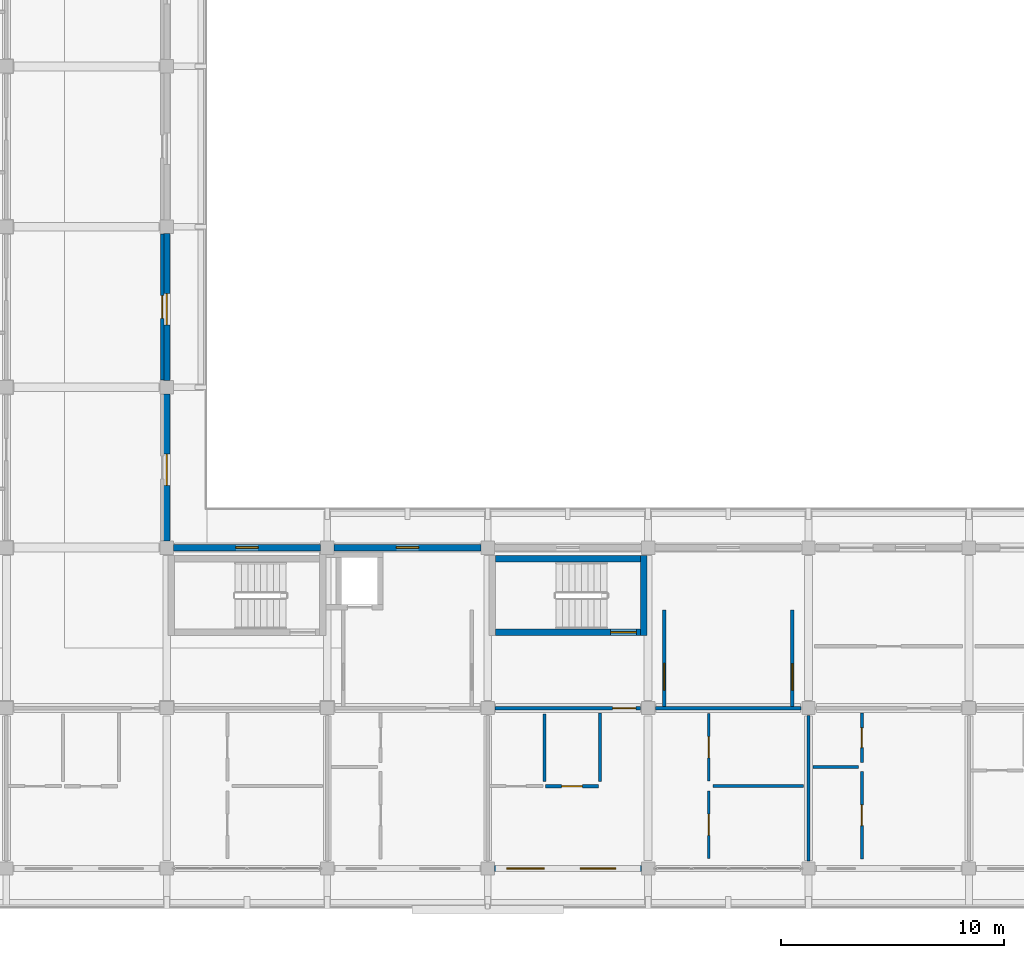
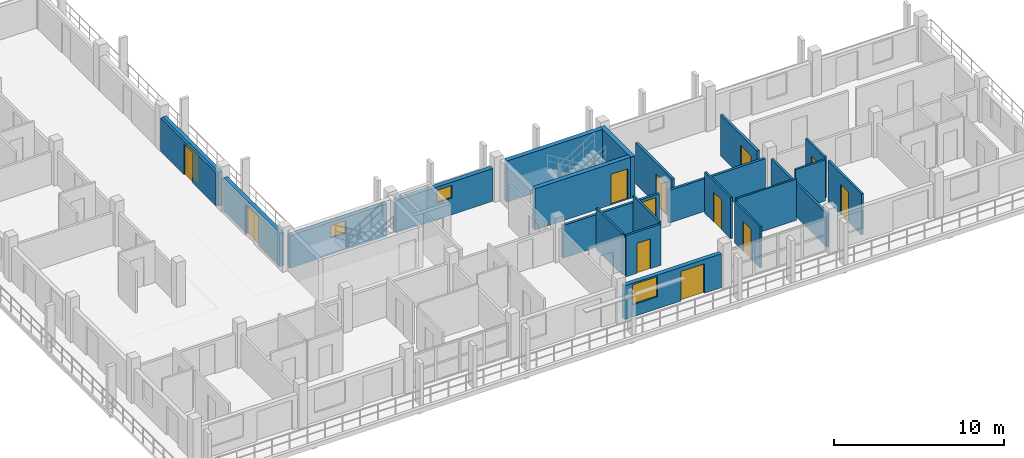
# One storey, part 115 of 157: 23 walls, 13 doors, 3 windows, 16 openings.
"""IFC4 building model written with IfcOpenShell, lengths in metres."""

from ifc_helpers import new_model, si_unit, direction, frame, frame_2d, origin, place, context, subcontext, project, spatial, rectangle, extrude, material, layer, layer_set, type_object, element, fill, save


model = new_model("IFC4")

# Units and contexts
model_context = context("Model", 3, precision=1e-05, world=origin(), true_north=direction((0.0, 1.0)))
body_context = subcontext(model_context, "Body", "Model", "MODEL_VIEW")
ifc_project = project(units=[si_unit("LENGTHUNIT", "METRE"), si_unit("AREAUNIT", "SQUARE_METRE"), si_unit("VOLUMEUNIT", "CUBIC_METRE"), si_unit("PLANEANGLEUNIT", "RADIAN"), si_unit("MASSUNIT", "GRAM", prefix="KILO")], contexts=[model_context])

# Site, building, storey
site_placement = place(None, origin())
site = spatial("IfcSite", under=ifc_project, at=site_placement, CompositionType="ELEMENT")
building_placement = place(site_placement, origin())
building = spatial("IfcBuilding", under=site, at=building_placement, Name="Suanplinth Sawtooth Commons", CompositionType="ELEMENT")
storey_placement = place(building_placement, frame((0.0, 0.0, 9.0)))
storey = spatial("IfcBuildingStorey", under=building, at=storey_placement, Name="L02", CompositionType="ELEMENT", Elevation=9.0)

# Wall, opening, door
ifc_material_1 = material(Name="Concrete C40/50", Category="concrete")
ifc_layer_1 = layer(ifc_material_1, 0.300048828125, Name="Standard RC stair and lift core wall 300mm")
ifc_layer_set_1 = layer_set([ifc_layer_1], Name="Concrete C40/50")
wall_type_1 = type_object("IfcWallType", Name="W-CR02", PredefinedType="SHEAR", material=ifc_layer_set_1)
wall_1_placement = place(storey_placement, frame((29.14990234375, 10.60009765625, 0.0), z_axis=(0.0, 0.0, 1.0), x_axis=(1.0, 0.0, 0.0)))
wall_1 = element("IfcWall", 1, at=wall_1_placement, inside=storey, type_object=wall_type_1, Name="W-L02-C-D2-STS", PredefinedType="SHEAR", context=body_context, shape_type="SweptSolid", body=[
    extrude(rectangle(XDim=6.5, YDim=0.300048828125, at=frame_2d((3.25, 0.0))), origin(), (0.0, 0.0, 1.0), 2.9599609375),
])
opening_1_placement = place(wall_1_placement, frame((5.169921875, 0.0, 0.0)))
opening_1 = element("IfcOpeningElement", 2, at=opening_1_placement, cuts=wall_1, Name="Opening FD0406", PredefinedType="OPENING", context=body_context, shape_type="SweptSolid", body=[
    extrude(rectangle(XDim=1.14990234375, YDim=2.199951171875, at=frame_2d((0.574951171875, 1.10009765625))), frame((0.0, 0.1650390625, 0.0), z_axis=(0.0, -1.0, 0.0), x_axis=(1.0, 0.0, 0.0)), (0.0, 0.0, 1.0), 0.329833984375),
])
ifc_material_2 = material(Name="Teak hardwood fire-rated door assembly", Category="wood")
door_type_1 = type_object("IfcDoorType", Name="FD-01", OperationType="NOTDEFINED", PredefinedType="DOOR", material=ifc_material_2)
door_1_placement = place(opening_1_placement, origin())
door_1 = element("IfcDoor", 3, at=door_1_placement, inside=storey, type_object=door_type_1, Name="Exit Stair Fire Door FD0406", OperationType="SINGLE_SWING_LEFT", OverallHeight=2.199951171875, OverallWidth=1.14990234375, PredefinedType="DOOR", context=body_context, shape_type="SweptSolid", body=[
    extrude(rectangle(XDim=1.14990234375, YDim=2.199951171875, at=frame_2d((0.574951171875, 1.10009765625))), frame((0.0, 0.02490234375, 0.0), z_axis=(0.0, -1.0, 0.0), x_axis=(1.0, 0.0, 0.0)), (0.0, 0.0, 1.0), 0.050048828125),
])
fill(opening_1, door_1)

# Walls
wall_2_placement = place(storey_placement, frame((29.14990234375, 13.89990234375, 0.0), z_axis=(0.0, 0.0, 1.0), x_axis=(1.0, 0.0, 0.0)))
element("IfcWall", 4, at=wall_2_placement, inside=storey, type_object=wall_type_1, Name="W-L02-C-D2-STN", PredefinedType="SHEAR", context=body_context, shape_type="SweptSolid", body=[
    extrude(rectangle(XDim=6.5, YDim=0.300048828125, at=frame_2d((3.25, 0.0))), origin(), (0.0, 0.0, 1.0), 2.9599609375),
])
wall_3_placement = place(storey_placement, frame((35.800048828125, 10.449951171875, 0.0), z_axis=(0.0, 0.0, 1.0), x_axis=(0.0, 1.0, 0.0)))
element("IfcWall", 5, at=wall_3_placement, inside=storey, type_object=wall_type_1, Name="W-L02-C-D2-STE", PredefinedType="SHEAR", context=body_context, shape_type="SweptSolid", body=[
    extrude(rectangle(XDim=3.60009765625, YDim=0.300048828125, at=frame_2d((1.800048828125, 0.0))), origin(), (0.0, 0.0, 1.0), 2.9599609375),
])

# Wall, opening, door
ifc_material_3 = material(Name="Precast concrete C40/50", Category="concrete")
ifc_layer_2 = layer(ifc_material_3, 0.280029296875, Name="Insulated precast architectural facade wall 280mm")
ifc_layer_set_2 = layer_set([ifc_layer_2], Name="Precast concrete C40/50")
wall_type_2 = type_object("IfcWallType", Name="W-EX01", PredefinedType="ELEMENTEDWALL", material=ifc_layer_set_2)
wall_4_placement = place(storey_placement, frame((14.39990234375, 14.699951171875, 0.0), z_axis=(0.0, 0.0, 1.0), x_axis=(0.0, 1.0, 0.0)))
wall_4 = element("IfcWall", 6, at=wall_4_placement, inside=storey, type_object=wall_type_2, Name="Facade Wall W-L02-D-E-1-2", PredefinedType="ELEMENTEDWALL", context=body_context, shape_type="SweptSolid", body=[
    extrude(rectangle(XDim=6.60009765625, YDim=0.280029296875, at=frame_2d((3.300048828125, 0.0))), origin(), (0.0, 0.0, 1.0), 2.39501953125),
])
opening_2_placement = place(wall_4_placement, frame((2.5, 0.0, 0.0)))
opening_2 = element("IfcOpeningElement", 7, at=opening_2_placement, cuts=wall_4, Name="Opening ED0208", PredefinedType="OPENING", context=body_context, shape_type="SweptSolid", body=[
    extrude(rectangle(XDim=1.39990234375, YDim=2.10009765625, at=frame_2d((0.699951171875, 1.050048828125))), frame((0.0, 0.15478515625, 0.0), z_axis=(0.0, -1.0, 0.0), x_axis=(1.0, 0.0, 0.0)), (0.0, 0.0, 1.0), 0.309814453125),
])
ifc_material_4 = material(Name="Anodized aluminium and low-E glass", Category="aluminium")
door_type_2 = type_object("IfcDoorType", Name="SD-07", OperationType="SLIDING_TO_RIGHT", PredefinedType="DOOR", material=ifc_material_4)
door_2_placement = place(opening_2_placement, frame((1.39990234375, 0.0, 0.0), z_axis=(0.0, 0.0, 1.0), x_axis=(-1.0, 0.0, 0.0)))
door_2 = element("IfcDoor", 8, at=door_2_placement, inside=storey, type_object=door_type_2, Name="Courtyard Veranda Studio Balcony Door L02-D-2", OperationType="SLIDING_TO_RIGHT", OverallHeight=2.10009765625, OverallWidth=1.39990234375, PredefinedType="DOOR", context=body_context, shape_type="SweptSolid", body=[
    extrude(rectangle(XDim=1.39990234375, YDim=2.10009765625, at=frame_2d((0.699951171875, 1.050048828125))), frame((0.0, 0.02490234375, 0.0), z_axis=(0.0, -1.0, 0.0), x_axis=(1.0, 0.0, 0.0)), (0.0, 0.0, 1.0), 0.050048828125),
])
fill(opening_2, door_2)

wall_5_placement = place(storey_placement, frame((14.39990234375, 21.89990234375, 0.0), z_axis=(0.0, 0.0, 1.0), x_axis=(0.0, 1.0, 0.0)))
wall_5 = element("IfcWall", 9, at=wall_5_placement, inside=storey, type_object=wall_type_2, Name="Facade Wall W-L02-D-E-1-3", PredefinedType="ELEMENTEDWALL", context=body_context, shape_type="SweptSolid", body=[
    extrude(rectangle(XDim=6.60009765625, YDim=0.280029296875, at=frame_2d((3.300048828125, 0.0))), origin(), (0.0, 0.0, 1.0), 2.39501953125),
])
opening_3_placement = place(wall_5_placement, frame((2.5, 0.0, 0.0)))
opening_3 = element("IfcOpeningElement", 10, at=opening_3_placement, cuts=wall_5, Name="Opening ED0209", PredefinedType="OPENING", context=body_context, shape_type="SweptSolid", body=[
    extrude(rectangle(XDim=1.39990234375, YDim=2.10009765625, at=frame_2d((0.699951171875, 1.050048828125))), frame((0.0, 0.15478515625, 0.0), z_axis=(0.0, -1.0, 0.0), x_axis=(1.0, 0.0, 0.0)), (0.0, 0.0, 1.0), 0.309814453125),
])
door_3_placement = place(opening_3_placement, frame((1.39990234375, 0.0, 0.0), z_axis=(0.0, 0.0, 1.0), x_axis=(-1.0, 0.0, 0.0)))
door_3 = element("IfcDoor", 11, at=door_3_placement, inside=storey, type_object=door_type_2, Name="Courtyard Veranda Studio Balcony Door L02-D-3", OperationType="SLIDING_TO_RIGHT", OverallHeight=2.10009765625, OverallWidth=1.39990234375, PredefinedType="DOOR", context=body_context, shape_type="SweptSolid", body=[
    extrude(rectangle(XDim=1.39990234375, YDim=2.10009765625, at=frame_2d((0.699951171875, 1.050048828125))), frame((0.0, 0.02490234375, 0.0), z_axis=(0.0, -1.0, 0.0), x_axis=(1.0, 0.0, 0.0)), (0.0, 0.0, 1.0), 0.050048828125),
])
fill(opening_3, door_3)

# Wall, opening, window
wall_6_placement = place(storey_placement, frame((14.699951171875, 14.39990234375, 0.0), z_axis=(0.0, 0.0, 1.0), x_axis=(1.0, 0.0, 0.0)))
wall_6 = element("IfcWall", 12, at=wall_6_placement, inside=storey, type_object=wall_type_2, Name="Facade Wall W-L02-D-N-2-1", PredefinedType="ELEMENTEDWALL", context=body_context, shape_type="SweptSolid", body=[
    extrude(rectangle(XDim=6.60009765625, YDim=0.280029296875, at=frame_2d((3.300048828125, 0.0))), origin(), (0.0, 0.0, 1.0), 2.344970703125),
])
opening_4_placement = place(wall_6_placement, frame((2.800048828125, 0.0, 1.199951171875)))
opening_4 = element("IfcOpeningElement", 13, at=opening_4_placement, cuts=wall_6, Name="Opening W0320", PredefinedType="OPENING", context=body_context, shape_type="SweptSolid", body=[
    extrude(rectangle(XDim=1.0, YDim=0.89990234375, at=frame_2d((0.5, 0.449951171875))), frame((0.0, 0.15478515625, 0.0), z_axis=(0.0, -1.0, 0.0), x_axis=(1.0, 0.0, 0.0)), (0.0, 0.0, 1.0), 0.309814453125),
])
ifc_material_5 = material(Name="Thermally broken aluminium and low-E double glazing", Category="aluminium")
window_type_1 = type_object("IfcWindowType", Name="WN-12", PartitioningType="SINGLE_PANEL", PredefinedType="WINDOW", material=ifc_material_5)
window_1_placement = place(opening_4_placement, origin())
window_1 = element("IfcWindow", 14, at=window_1_placement, inside=storey, type_object=window_type_1, Name="Core Daylight Window L02-D-2-1", OverallHeight=0.89990234375, OverallWidth=1.0, PartitioningType="SINGLE_PANEL", PredefinedType="WINDOW", context=body_context, shape_type="SweptSolid", body=[
    extrude(rectangle(XDim=1.0, YDim=0.89990234375, at=frame_2d((0.5, 0.449951171875))), frame((0.0, 0.030029296875, 0.0), z_axis=(0.0, -1.0, 0.0), x_axis=(1.0, 0.0, 0.0)), (0.0, 0.0, 1.0), 0.06005859375),
])
fill(opening_4, window_1)

wall_7_placement = place(storey_placement, frame((21.89990234375, 14.39990234375, 0.0), z_axis=(0.0, 0.0, 1.0), x_axis=(1.0, 0.0, 0.0)))
wall_7 = element("IfcWall", 15, at=wall_7_placement, inside=storey, type_object=wall_type_2, Name="Facade Wall W-L02-D-N-3-1", PredefinedType="ELEMENTEDWALL", context=body_context, shape_type="SweptSolid", body=[
    extrude(rectangle(XDim=6.60009765625, YDim=0.280029296875, at=frame_2d((3.300048828125, 0.0))), origin(), (0.0, 0.0, 1.0), 2.344970703125),
])
opening_5_placement = place(wall_7_placement, frame((2.800048828125, 0.0, 1.199951171875)))
opening_5 = element("IfcOpeningElement", 16, at=opening_5_placement, cuts=wall_7, Name="Opening W0322", PredefinedType="OPENING", context=body_context, shape_type="SweptSolid", body=[
    extrude(rectangle(XDim=1.0, YDim=0.89990234375, at=frame_2d((0.5, 0.449951171875))), frame((0.0, 0.15478515625, 0.0), z_axis=(0.0, -1.0, 0.0), x_axis=(1.0, 0.0, 0.0)), (0.0, 0.0, 1.0), 0.309814453125),
])
window_2_placement = place(opening_5_placement, origin())
window_2 = element("IfcWindow", 17, at=window_2_placement, inside=storey, type_object=window_type_1, Name="Core Daylight Window L02-D-3-1", OverallHeight=0.89990234375, OverallWidth=1.0, PartitioningType="SINGLE_PANEL", PredefinedType="WINDOW", context=body_context, shape_type="SweptSolid", body=[
    extrude(rectangle(XDim=1.0, YDim=0.89990234375, at=frame_2d((0.5, 0.449951171875))), frame((0.0, 0.030029296875, 0.0), z_axis=(0.0, -1.0, 0.0), x_axis=(1.0, 0.0, 0.0)), (0.0, 0.0, 1.0), 0.06005859375),
])
fill(opening_5, window_2)

# Wall, openings, door, window
wall_8_placement = place(storey_placement, frame((29.10009765625, 0.0, 0.0), z_axis=(0.0, 0.0, 1.0), x_axis=(1.0, 0.0, 0.0)))
wall_8 = element("IfcWall", 18, at=wall_8_placement, inside=storey, type_object=wall_type_2, Name="Facade Wall W-L02-D-S-4-0", PredefinedType="ELEMENTEDWALL", context=body_context, shape_type="SweptSolid", body=[
    extrude(rectangle(XDim=6.599853515625, YDim=0.280029296875, at=frame_2d((3.2998046875, 0.0))), origin(), (0.0, 0.0, 1.0), 2.425048828125),
])
opening_6_placement = place(wall_8_placement, frame((3.85009765625, 0.0, 0.0)))
opening_6 = element("IfcOpeningElement", 19, at=opening_6_placement, cuts=wall_8, Name="Opening ED0213", PredefinedType="OPENING", context=body_context, shape_type="SweptSolid", body=[
    extrude(rectangle(XDim=1.60009765625, YDim=2.1201171875, at=frame_2d((0.800048828125, 1.06005859375))), frame((0.0, 0.15478515625, 0.0), z_axis=(0.0, -1.0, 0.0), x_axis=(1.0, 0.0, 0.0)), (0.0, 0.0, 1.0), 0.309814453125),
])
opening_7_placement = place(wall_8_placement, frame((0.550048828125, 0.0, 0.864990234375)))
opening_7 = element("IfcOpeningElement", 20, at=opening_7_placement, cuts=wall_8, Name="Opening W0323", PredefinedType="OPENING", context=body_context, shape_type="SweptSolid", body=[
    extrude(rectangle(XDim=1.699951171875, YDim=1.449951171875, at=frame_2d((0.85009765625, 0.72509765625))), frame((0.0, 0.15478515625, 0.0), z_axis=(0.0, -1.0, 0.0), x_axis=(1.0, 0.0, 0.0)), (0.0, 0.0, 1.0), 0.309814453125),
])
door_type_3 = type_object("IfcDoorType", Name="SD-02", OperationType="SLIDING_TO_RIGHT", PredefinedType="DOOR", material=ifc_material_4)
door_4_placement = place(opening_6_placement, frame((1.60009765625, 0.0, 0.0), z_axis=(0.0, 0.0, 1.0), x_axis=(-1.0, 0.0, 0.0)))
door_4 = element("IfcDoor", 21, at=door_4_placement, inside=storey, type_object=door_type_3, Name="Balcony Sliding Door L02-D-4", OperationType="SLIDING_TO_RIGHT", OverallHeight=2.1201171875, OverallWidth=1.60009765625, PredefinedType="DOOR", context=body_context, shape_type="SweptSolid", body=[
    extrude(rectangle(XDim=1.60009765625, YDim=2.1201171875, at=frame_2d((0.800048828125, 1.06005859375))), frame((0.0, 0.02490234375, 0.0), z_axis=(0.0, -1.0, 0.0), x_axis=(1.0, 0.0, 0.0)), (0.0, 0.0, 1.0), 0.050048828125),
])
fill(opening_6, door_4)
window_type_2 = type_object("IfcWindowType", Name="WN-15", PartitioningType="DOUBLE_PANEL_VERTICAL", PredefinedType="WINDOW", material=ifc_material_5)
window_3_placement = place(opening_7_placement, origin())
window_3 = element("IfcWindow", 22, at=window_3_placement, inside=storey, type_object=window_type_2, Name="Apartment Window L02-D-4", OverallHeight=1.449951171875, OverallWidth=1.699951171875, PartitioningType="DOUBLE_PANEL_VERTICAL", PredefinedType="WINDOW", context=body_context, shape_type="SweptSolid", body=[
    extrude(rectangle(XDim=1.699951171875, YDim=1.449951171875, at=frame_2d((0.85009765625, 0.72509765625))), frame((0.0, 0.030029296875, 0.0), z_axis=(0.0, -1.0, 0.0), x_axis=(1.0, 0.0, 0.0)), (0.0, 0.0, 1.0), 0.06005859375),
])
fill(opening_7, window_3)

# Wall, opening, door
ifc_layer_3 = layer(ifc_material_3, 0.159912109375, Name="Fire-rated corridor and lobby wall 160mm")
ifc_layer_set_3 = layer_set([ifc_layer_3], Name="Precast concrete C40/50")
wall_type_3 = type_object("IfcWallType", Name="W-FW01", PredefinedType="PARTITIONING", material=ifc_layer_set_3)
wall_9_placement = place(storey_placement, frame((36.719970703125, 7.280029296875, 0.0), z_axis=(0.0, 0.0, 1.0), x_axis=(0.0, 1.0, 0.0)))
wall_9 = element("IfcWall", 23, at=wall_9_placement, inside=storey, type_object=wall_type_3, Name="W-L02-C-D2-LOB-W", PredefinedType="PARTITIONING", context=body_context, shape_type="SweptSolid", body=[
    extrude(rectangle(XDim=4.320068359375, YDim=0.159912109375, at=frame_2d((2.16015625, 0.0))), origin(), (0.0, 0.0, 1.0), 2.9599609375),
])
opening_8_placement = place(wall_9_placement, frame((0.719970703125, 0.0, 0.0)))
opening_8 = element("IfcOpeningElement", 24, at=opening_8_placement, cuts=wall_9, Name="Opening FD0407", PredefinedType="OPENING", context=body_context, shape_type="SweptSolid", body=[
    extrude(rectangle(XDim=1.199951171875, YDim=2.199951171875, at=frame_2d((0.60009765625, 1.10009765625))), frame((0.0, 0.0947265625, 0.0), z_axis=(0.0, -1.0, 0.0), x_axis=(1.0, 0.0, 0.0)), (0.0, 0.0, 1.0), 0.189697265625),
])
door_type_4 = type_object("IfcDoorType", Name="FD-02", OperationType="NOTDEFINED", PredefinedType="DOOR", material=ifc_material_2)
door_5_placement = place(opening_8_placement, origin())
door_5 = element("IfcDoor", 25, at=door_5_placement, inside=storey, type_object=door_type_4, Name="Lobby Fire Door FD0407", OperationType="SINGLE_SWING_RIGHT", OverallHeight=2.199951171875, OverallWidth=1.199951171875, PredefinedType="DOOR", context=body_context, shape_type="SweptSolid", body=[
    extrude(rectangle(XDim=1.199951171875, YDim=2.199951171875, at=frame_2d((0.60009765625, 1.10009765625))), frame((0.0, 0.02490234375, 0.0), z_axis=(0.0, -1.0, 0.0), x_axis=(1.0, 0.0, 0.0)), (0.0, 0.0, 1.0), 0.050048828125),
])
fill(opening_8, door_5)

wall_10_placement = place(storey_placement, frame((42.47998046875, 7.280029296875, 0.0), z_axis=(0.0, 0.0, 1.0), x_axis=(0.0, 1.0, 0.0)))
wall_10 = element("IfcWall", 26, at=wall_10_placement, inside=storey, type_object=wall_type_3, Name="W-L02-C-D2-LOB-E", PredefinedType="PARTITIONING", context=body_context, shape_type="SweptSolid", body=[
    extrude(rectangle(XDim=4.320068359375, YDim=0.159912109375, at=frame_2d((2.16015625, 0.0))), origin(), (0.0, 0.0, 1.0), 2.9599609375),
])
opening_9_placement = place(wall_10_placement, frame((0.719970703125, 0.0, 0.0)))
opening_9 = element("IfcOpeningElement", 27, at=opening_9_placement, cuts=wall_10, Name="Opening FD0408", PredefinedType="OPENING", context=body_context, shape_type="SweptSolid", body=[
    extrude(rectangle(XDim=1.199951171875, YDim=2.199951171875, at=frame_2d((0.60009765625, 1.10009765625))), frame((0.0, 0.0947265625, 0.0), z_axis=(0.0, -1.0, 0.0), x_axis=(1.0, 0.0, 0.0)), (0.0, 0.0, 1.0), 0.189697265625),
])
door_6_placement = place(opening_9_placement, frame((1.199951171875, 0.0, 0.0), z_axis=(0.0, 0.0, 1.0), x_axis=(-1.0, 0.0, 0.0)))
door_6 = element("IfcDoor", 28, at=door_6_placement, inside=storey, type_object=door_type_4, Name="Lobby Fire Door FD0408", OperationType="SINGLE_SWING_LEFT", OverallHeight=2.199951171875, OverallWidth=1.199951171875, PredefinedType="DOOR", context=body_context, shape_type="SweptSolid", body=[
    extrude(rectangle(XDim=1.199951171875, YDim=2.199951171875, at=frame_2d((0.60009765625, 1.10009765625))), frame((0.0, 0.02490234375, 0.0), z_axis=(0.0, -1.0, 0.0), x_axis=(1.0, 0.0, 0.0)), (0.0, 0.0, 1.0), 0.050048828125),
])
fill(opening_9, door_6)

wall_11_placement = place(storey_placement, frame((29.1298828125, 7.199951171875, 0.0), z_axis=(0.0, 0.0, 1.0), x_axis=(1.0, 0.0, 0.0)))
wall_11 = element("IfcWall", 29, at=wall_11_placement, inside=storey, type_object=wall_type_3, Name="W-D-L02-U04-COR-S1", PredefinedType="PARTITIONING", context=body_context, shape_type="SweptSolid", body=[
    extrude(rectangle(XDim=6.5400390625, YDim=0.159912109375, at=frame_2d((3.27001953125, 0.0))), origin(), (0.0, 0.0, 1.0), 2.344970703125),
])
opening_10_placement = place(wall_11_placement, frame((5.27490234375, 0.0, 0.0)))
opening_10 = element("IfcOpeningElement", 30, at=opening_10_placement, cuts=wall_11, Name="Opening FD0840", PredefinedType="OPENING", context=body_context, shape_type="SweptSolid", body=[
    extrude(rectangle(XDim=1.050048828125, YDim=2.14990234375, at=frame_2d((0.52490234375, 1.074951171875))), frame((0.0, 0.0947265625, 0.0), z_axis=(0.0, -1.0, 0.0), x_axis=(1.0, 0.0, 0.0)), (0.0, 0.0, 1.0), 0.189697265625),
])
door_type_5 = type_object("IfcDoorType", Name="FD-04", OperationType="NOTDEFINED", PredefinedType="DOOR", material=ifc_material_2)
door_7_placement = place(opening_10_placement, frame((1.050048828125, 0.0, 0.0), z_axis=(0.0, 0.0, 1.0), x_axis=(-1.0, 0.0, 0.0)))
door_7 = element("IfcDoor", 31, at=door_7_placement, inside=storey, type_object=door_type_5, Name="Unit Entrance Door FD0840", OperationType="SINGLE_SWING_RIGHT", OverallHeight=2.14990234375, OverallWidth=1.050048828125, PredefinedType="DOOR", context=body_context, shape_type="SweptSolid", body=[
    extrude(rectangle(XDim=1.050048828125, YDim=2.14990234375, at=frame_2d((0.52490234375, 1.074951171875))), frame((0.0, 0.02490234375, 0.0), z_axis=(0.0, -1.0, 0.0), x_axis=(1.0, 0.0, 0.0)), (0.0, 0.0, 1.0), 0.050048828125),
])
fill(opening_10, door_7)

# Wall
wall_12_placement = place(storey_placement, frame((36.330078125, 7.199951171875, 0.0), z_axis=(0.0, 0.0, 1.0), x_axis=(1.0, 0.0, 0.0)))
element("IfcWall", 32, at=wall_12_placement, inside=storey, type_object=wall_type_3, Name="W-D-L02-U04-COR-S2", PredefinedType="PARTITIONING", context=body_context, shape_type="SweptSolid", body=[
    extrude(rectangle(XDim=6.5400390625, YDim=0.159912109375, at=frame_2d((3.27001953125, 0.0))), origin(), (0.0, 0.0, 1.0), 2.344970703125),
])

# Wall, opening, door
wall_13_placement = place(storey_placement, frame((14.199951171875, 21.929931640625, 0.0), z_axis=(0.0, 0.0, 1.0), x_axis=(0.0, 1.0, 0.0)))
wall_13 = element("IfcWall", 33, at=wall_13_placement, inside=storey, type_object=wall_type_3, Name="W-D-L02-LEGCOURTROOM-71-COR", PredefinedType="PARTITIONING", context=body_context, shape_type="SweptSolid", body=[
    extrude(rectangle(XDim=6.5400390625, YDim=0.159912109375, at=frame_2d((3.27001953125, 0.0))), origin(), (0.0, 0.0, 1.0), 2.39501953125),
])
opening_11_placement = place(wall_13_placement, frame((2.760009765625, 0.0, 0.0)))
opening_11 = element("IfcOpeningElement", 34, at=opening_11_placement, cuts=wall_13, Name="Opening D0859", PredefinedType="OPENING", context=body_context, shape_type="SweptSolid", body=[
    extrude(rectangle(XDim=1.02001953125, YDim=2.179931640625, at=frame_2d((0.510009765625, 1.08984375))), frame((0.0, 0.0947265625, 0.0), z_axis=(0.0, -1.0, 0.0), x_axis=(1.0, 0.0, 0.0)), (0.0, 0.0, 1.0), 0.189697265625),
])
ifc_material_6 = material(Name="Teak hardwood", Category="wood")
door_type_6 = type_object("IfcDoorType", Name="D-16", OperationType="NOTDEFINED", PredefinedType="DOOR", material=ifc_material_6)
door_8_placement = place(opening_11_placement, frame((1.02001953125, 0.0, 0.0), z_axis=(0.0, 0.0, 1.0), x_axis=(-1.0, 0.0, 0.0)))
door_8 = element("IfcDoor", 35, at=door_8_placement, inside=storey, type_object=door_type_6, Name="Veranda Studio Door D0859", OperationType="SINGLE_SWING_LEFT", OverallHeight=2.179931640625, OverallWidth=1.02001953125, PredefinedType="DOOR", context=body_context, shape_type="SweptSolid", body=[
    extrude(rectangle(XDim=1.02001953125, YDim=2.179931640625, at=frame_2d((0.510009765625, 1.08984375))), frame((0.0, 0.02490234375, 0.0), z_axis=(0.0, -1.0, 0.0), x_axis=(1.0, 0.0, 0.0)), (0.0, 0.0, 1.0), 0.050048828125),
])
fill(opening_11, door_8)

# Wall
ifc_layer_4 = layer(ifc_material_3, 0.14990234375, Name="Acoustic precast party demising wall 150mm")
ifc_layer_set_4 = layer_set([ifc_layer_4], Name="Precast concrete C40/50")
wall_type_4 = type_object("IfcWallType", Name="W-FW02", PredefinedType="PARTITIONING", material=ifc_layer_set_4)
wall_14_placement = place(storey_placement, frame((43.199951171875, 0.330078125, 0.0), z_axis=(0.0, 0.0, 1.0), x_axis=(0.0, 1.0, 0.0)))
element("IfcWall", 36, at=wall_14_placement, inside=storey, type_object=wall_type_4, Name="W-D-L02-U04-PTY", PredefinedType="PARTITIONING", context=body_context, shape_type="SweptSolid", body=[
    extrude(rectangle(XDim=6.5400390625, YDim=0.14990234375, at=frame_2d((3.27001953125, 0.0))), origin(), (0.0, 0.0, 1.0), 2.39501953125),
])

# Wall, opening, door
ifc_material_7 = material(Name="Gypsum plasterboard on steel stud", Category="steel")
ifc_layer_5 = layer(ifc_material_7, 0.139892578125, Name="Fire-rated kitchen partition 140mm")
ifc_layer_set_5 = layer_set([ifc_layer_5], Name="Gypsum plasterboard on steel stud")
wall_type_5 = type_object("IfcWallType", Name="W-PT01", PredefinedType="PARTITIONING", material=ifc_layer_set_5)
wall_15_placement = place(storey_placement, frame((31.39990234375, 3.68994140625, 0.0), z_axis=(0.0, 0.0, 1.0), x_axis=(1.0, 0.0, 0.0)))
wall_15 = element("IfcWall", 37, at=wall_15_placement, inside=storey, type_object=wall_type_5, Name="W-D-L02-U04-KIT1", PredefinedType="PARTITIONING", context=body_context, shape_type="SweptSolid", body=[
    extrude(rectangle(XDim=2.380126953125, YDim=0.139892578125, at=frame_2d((1.18994140625, 0.0))), origin(), (0.0, 0.0, 1.0), 2.9599609375),
])
opening_12_placement = place(wall_15_placement, frame((0.72509765625, 0.0, 0.0)))
opening_12 = element("IfcOpeningElement", 38, at=opening_12_placement, cuts=wall_15, Name="Opening D0842", PredefinedType="OPENING", context=body_context, shape_type="SweptSolid", body=[
    extrude(rectangle(XDim=0.929931640625, YDim=2.139892578125, at=frame_2d((0.46484375, 1.06982421875))), frame((0.0, 0.0849609375, 0.0), z_axis=(0.0, -1.0, 0.0), x_axis=(1.0, 0.0, 0.0)), (0.0, 0.0, 1.0), 0.169677734375),
])
door_type_7 = type_object("IfcDoorType", Name="D-19", OperationType="NOTDEFINED", PredefinedType="DOOR", material=ifc_material_6)
door_9_placement = place(opening_12_placement, origin())
door_9 = element("IfcDoor", 39, at=door_9_placement, inside=storey, type_object=door_type_7, Name="Kitchen Door D0842", OperationType="SINGLE_SWING_RIGHT", OverallHeight=2.139892578125, OverallWidth=0.929931640625, PredefinedType="DOOR", context=body_context, shape_type="SweptSolid", body=[
    extrude(rectangle(XDim=0.929931640625, YDim=2.139892578125, at=frame_2d((0.46484375, 1.06982421875))), frame((0.0, 0.02490234375, 0.0), z_axis=(0.0, -1.0, 0.0), x_axis=(1.0, 0.0, 0.0)), (0.0, 0.0, 1.0), 0.050048828125),
])
fill(opening_12, door_9)

# Wall
wall_16_placement = place(storey_placement, frame((33.85009765625, 3.909912109375, 0.0), z_axis=(0.0, 0.0, 1.0), x_axis=(0.0, 1.0, 0.0)))
element("IfcWall", 40, at=wall_16_placement, inside=storey, type_object=wall_type_5, Name="W-D-L02-U04-KIT2", PredefinedType="PARTITIONING", context=body_context, shape_type="SweptSolid", body=[
    extrude(rectangle(XDim=3.06005859375, YDim=0.139892578125, at=frame_2d((1.530029296875, 0.0))), origin(), (0.0, 0.0, 1.0), 2.9599609375),
])

# Wall, opening, door
wall_17_placement = place(storey_placement, frame((45.594970703125, 0.419921875, 0.0), z_axis=(0.0, 0.0, 1.0), x_axis=(0.0, 1.0, 0.0)))
wall_17 = element("IfcWall", 41, at=wall_17_placement, inside=storey, type_object=wall_type_5, Name="W-D-L02-U05-KITE", PredefinedType="PARTITIONING", context=body_context, shape_type="SweptSolid", body=[
    extrude(rectangle(XDim=3.940185546875, YDim=0.139892578125, at=frame_2d((1.97021484375, 0.0))), origin(), (0.0, 0.0, 1.0), 2.9599609375),
])
opening_13_placement = place(wall_17_placement, frame((1.5048828125, 0.0, 0.0)))
opening_13 = element("IfcOpeningElement", 42, at=opening_13_placement, cuts=wall_17, Name="Opening D0847", PredefinedType="OPENING", context=body_context, shape_type="SweptSolid", body=[
    extrude(rectangle(XDim=0.929931640625, YDim=2.139892578125, at=frame_2d((0.46484375, 1.06982421875))), frame((0.0, 0.0849609375, 0.0), z_axis=(0.0, -1.0, 0.0), x_axis=(1.0, 0.0, 0.0)), (0.0, 0.0, 1.0), 0.169677734375),
])
door_10_placement = place(opening_13_placement, origin())
door_10 = element("IfcDoor", 43, at=door_10_placement, inside=storey, type_object=door_type_7, Name="Kitchen Door D0847", OperationType="SINGLE_SWING_LEFT", OverallHeight=2.139892578125, OverallWidth=0.929931640625, PredefinedType="DOOR", context=body_context, shape_type="SweptSolid", body=[
    extrude(rectangle(XDim=0.929931640625, YDim=2.139892578125, at=frame_2d((0.46484375, 1.06982421875))), frame((0.0, 0.02490234375, 0.0), z_axis=(0.0, -1.0, 0.0), x_axis=(1.0, 0.0, 0.0)), (0.0, 0.0, 1.0), 0.050048828125),
])
fill(opening_13, door_10)

# Walls
ifc_layer_6 = layer(ifc_material_7, 0.1298828125, Name="Moisture-resistant bathroom partition 130mm")
ifc_layer_set_6 = layer_set([ifc_layer_6], Name="Gypsum plasterboard on steel stud")
wall_type_6 = type_object("IfcWallType", Name="W-PT02", PredefinedType="PARTITIONING", material=ifc_layer_set_6)
wall_18_placement = place(storey_placement, frame((31.344970703125, 3.89990234375, 0.0), z_axis=(0.0, 0.0, 1.0), x_axis=(0.0, 1.0, 0.0)))
element("IfcWall", 44, at=wall_18_placement, inside=storey, type_object=wall_type_6, Name="W-D-L02-U04-BTH2", PredefinedType="PARTITIONING", context=body_context, shape_type="SweptSolid", body=[
    extrude(rectangle(XDim=3.0400390625, YDim=0.1298828125, at=frame_2d((1.52001953125, 0.0))), origin(), (0.0, 0.0, 1.0), 2.9599609375),
])
wall_19_placement = place(storey_placement, frame((43.39990234375, 4.56005859375, 0.0), z_axis=(0.0, 0.0, 1.0), x_axis=(1.0, 0.0, 0.0)))
element("IfcWall", 45, at=wall_19_placement, inside=storey, type_object=wall_type_6, Name="W-D-L02-U05-STDIV", PredefinedType="PARTITIONING", context=body_context, shape_type="SweptSolid", body=[
    extrude(rectangle(XDim=2.050048828125, YDim=0.1298828125, at=frame_2d((1.02490234375, 0.0))), origin(), (0.0, 0.0, 1.0), 2.9599609375),
])

# Wall, opening, door
wall_20_placement = place(storey_placement, frame((45.594970703125, 4.760009765625, 0.0), z_axis=(0.0, 0.0, 1.0), x_axis=(0.0, 1.0, 0.0)))
wall_20 = element("IfcWall", 46, at=wall_20_placement, inside=storey, type_object=wall_type_6, Name="W-D-L02-U05-BTHE", PredefinedType="PARTITIONING", context=body_context, shape_type="SweptSolid", body=[
    extrude(rectangle(XDim=2.219970703125, YDim=0.1298828125, at=frame_2d((1.10986328125, 0.0))), origin(), (0.0, 0.0, 1.0), 2.9599609375),
])
opening_14_placement = place(wall_20_placement, frame((0.669921875, 0.0, 0.0)))
opening_14 = element("IfcOpeningElement", 47, at=opening_14_placement, cuts=wall_20, Name="Opening D0846", PredefinedType="OPENING", context=body_context, shape_type="SweptSolid", body=[
    extrude(rectangle(XDim=0.8798828125, YDim=2.10009765625, at=frame_2d((0.43994140625, 1.050048828125))), frame((0.0, 0.079833984375, 0.0), z_axis=(0.0, -1.0, 0.0), x_axis=(1.0, 0.0, 0.0)), (0.0, 0.0, 1.0), 0.15966796875),
])
door_type_8 = type_object("IfcDoorType", Name="D-14", OperationType="NOTDEFINED", PredefinedType="DOOR", material=ifc_material_6)
door_11_placement = place(opening_14_placement, origin())
door_11 = element("IfcDoor", 48, at=door_11_placement, inside=storey, type_object=door_type_8, Name="Bathroom Door D0846", OperationType="SINGLE_SWING_RIGHT", OverallHeight=2.10009765625, OverallWidth=0.8798828125, PredefinedType="DOOR", context=body_context, shape_type="SweptSolid", body=[
    extrude(rectangle(XDim=0.8798828125, YDim=2.10009765625, at=frame_2d((0.43994140625, 1.050048828125))), frame((0.0, 0.02490234375, 0.0), z_axis=(0.0, -1.0, 0.0), x_axis=(1.0, 0.0, 0.0)), (0.0, 0.0, 1.0), 0.050048828125),
])
fill(opening_14, door_11)

ifc_layer_7 = layer(ifc_material_7, 0.1201171875, Name="Acoustic bedroom partition 120mm")
ifc_layer_set_7 = layer_set([ifc_layer_7], Name="Gypsum plasterboard on steel stud")
wall_type_7 = type_object("IfcWallType", Name="W-PT03", PredefinedType="PARTITIONING", material=ifc_layer_set_7)
wall_21_placement = place(storey_placement, frame((38.719970703125, 0.43994140625, 0.0), z_axis=(0.0, 0.0, 1.0), x_axis=(0.0, 1.0, 0.0)))
wall_21 = element("IfcWall", 49, at=wall_21_placement, inside=storey, type_object=wall_type_7, Name="W-D-L02-U04-BED1", PredefinedType="PARTITIONING", context=body_context, shape_type="SweptSolid", body=[
    extrude(rectangle(XDim=3.0400390625, YDim=0.1201171875, at=frame_2d((1.52001953125, 0.0))), origin(), (0.0, 0.0, 1.0), 2.9599609375),
])
opening_15_placement = place(wall_21_placement, frame((1.044921875, 0.0, 0.0)))
opening_15 = element("IfcOpeningElement", 50, at=opening_15_placement, cuts=wall_21, Name="Opening D0843", PredefinedType="OPENING", context=body_context, shape_type="SweptSolid", body=[
    extrude(rectangle(XDim=0.949951171875, YDim=2.14990234375, at=frame_2d((0.47509765625, 1.074951171875))), frame((0.0, 0.074951171875, 0.0), z_axis=(0.0, -1.0, 0.0), x_axis=(1.0, 0.0, 0.0)), (0.0, 0.0, 1.0), 0.14990234375),
])
door_type_9 = type_object("IfcDoorType", Name="D-03", OperationType="NOTDEFINED", PredefinedType="DOOR", material=ifc_material_6)
door_12_placement = place(opening_15_placement, frame((0.949951171875, 0.0, 0.0), z_axis=(0.0, 0.0, 1.0), x_axis=(-1.0, 0.0, 0.0)))
door_12 = element("IfcDoor", 51, at=door_12_placement, inside=storey, type_object=door_type_9, Name="Bedroom Door D0843", OperationType="SINGLE_SWING_LEFT", OverallHeight=2.14990234375, OverallWidth=0.949951171875, PredefinedType="DOOR", context=body_context, shape_type="SweptSolid", body=[
    extrude(rectangle(XDim=0.949951171875, YDim=2.14990234375, at=frame_2d((0.47509765625, 1.074951171875))), frame((0.0, 0.02490234375, 0.0), z_axis=(0.0, -1.0, 0.0), x_axis=(1.0, 0.0, 0.0)), (0.0, 0.0, 1.0), 0.050048828125),
])
fill(opening_15, door_12)

wall_22_placement = place(storey_placement, frame((38.719970703125, 3.919921875, 0.0), z_axis=(0.0, 0.0, 1.0), x_axis=(0.0, 1.0, 0.0)))
wall_22 = element("IfcWall", 52, at=wall_22_placement, inside=storey, type_object=wall_type_7, Name="W-D-L02-U04-BED2", PredefinedType="PARTITIONING", context=body_context, shape_type="SweptSolid", body=[
    extrude(rectangle(XDim=3.0400390625, YDim=0.1201171875, at=frame_2d((1.52001953125, 0.0))), origin(), (0.0, 0.0, 1.0), 2.9599609375),
])
opening_16_placement = place(wall_22_placement, frame((1.0400390625, 0.0, 0.0)))
opening_16 = element("IfcOpeningElement", 53, at=opening_16_placement, cuts=wall_22, Name="Opening D0844", PredefinedType="OPENING", context=body_context, shape_type="SweptSolid", body=[
    extrude(rectangle(XDim=0.9599609375, YDim=2.14990234375, at=frame_2d((0.47998046875, 1.074951171875))), frame((0.0, 0.074951171875, 0.0), z_axis=(0.0, -1.0, 0.0), x_axis=(1.0, 0.0, 0.0)), (0.0, 0.0, 1.0), 0.14990234375),
])
door_type_10 = type_object("IfcDoorType", Name="D-13", OperationType="NOTDEFINED", PredefinedType="DOOR", material=ifc_material_6)
door_13_placement = place(opening_16_placement, frame((0.9599609375, 0.0, 0.0), z_axis=(0.0, 0.0, 1.0), x_axis=(-1.0, 0.0, 0.0)))
door_13 = element("IfcDoor", 54, at=door_13_placement, inside=storey, type_object=door_type_10, Name="Second Bedroom Door D0844", OperationType="SINGLE_SWING_RIGHT", OverallHeight=2.14990234375, OverallWidth=0.9599609375, PredefinedType="DOOR", context=body_context, shape_type="SweptSolid", body=[
    extrude(rectangle(XDim=0.9599609375, YDim=2.14990234375, at=frame_2d((0.47998046875, 1.074951171875))), frame((0.0, 0.02490234375, 0.0), z_axis=(0.0, -1.0, 0.0), x_axis=(1.0, 0.0, 0.0)), (0.0, 0.0, 1.0), 0.050048828125),
])
fill(opening_16, door_13)

# Wall
ifc_layer_8 = layer(ifc_material_7, 0.125, Name="Acoustic study partition 125mm")
ifc_layer_set_8 = layer_set([ifc_layer_8], Name="Gypsum plasterboard on steel stud")
wall_type_8 = type_object("IfcWallType", Name="W-PT06", PredefinedType="PARTITIONING", material=ifc_layer_set_8)
wall_23_placement = place(storey_placement, frame((38.919921875, 3.699951171875, 0.0), z_axis=(0.0, 0.0, 1.0), x_axis=(1.0, 0.0, 0.0)))
element("IfcWall", 55, at=wall_23_placement, inside=storey, type_object=wall_type_8, Name="W-D-L02-U04-BEDDIV", PredefinedType="PARTITIONING", context=body_context, shape_type="SweptSolid", body=[
    extrude(rectangle(XDim=4.06005859375, YDim=0.125, at=frame_2d((2.030029296875, 0.0))), origin(), (0.0, 0.0, 1.0), 2.9599609375),
])

save(model, "model.ifc")
